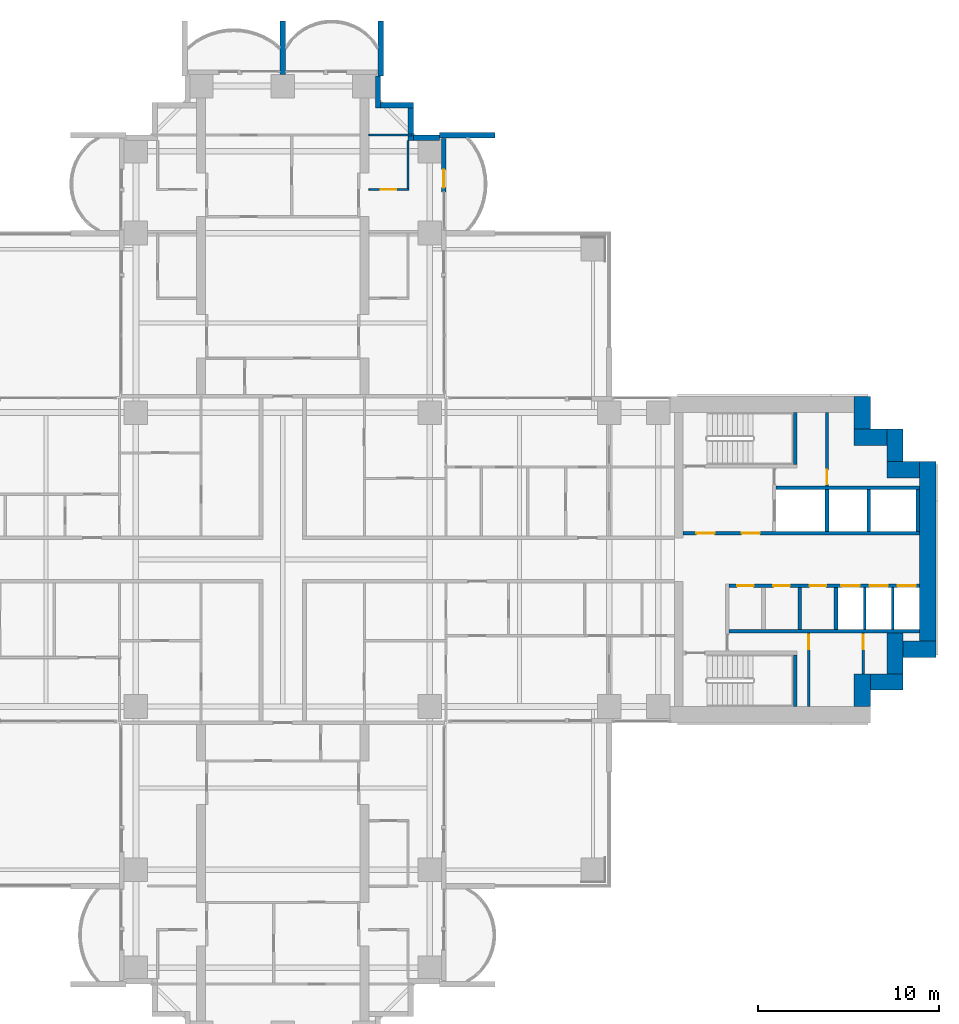
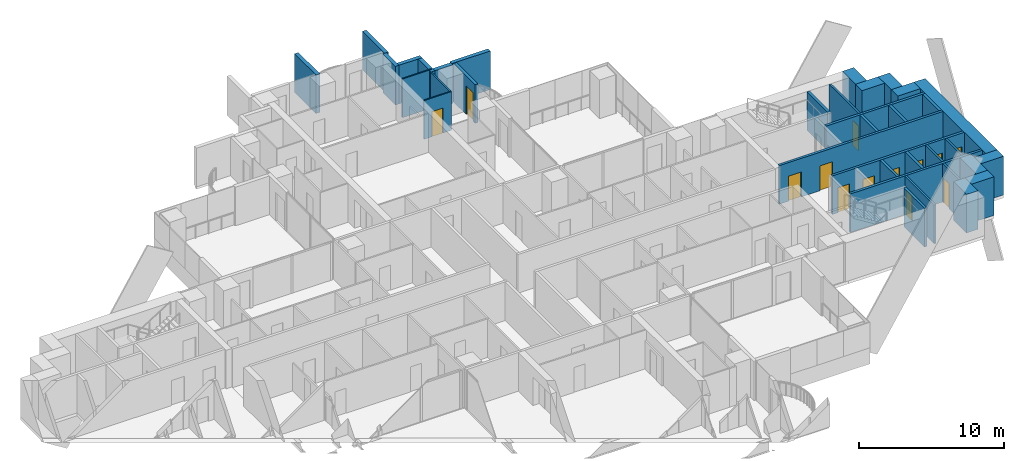
# One storey, part 17 of 23: 36 walls, 13 doors, 13 openings.
"""IFC4 building model written with IfcOpenShell, lengths in metres."""

from ifc_helpers import new_model, si_unit, direction, frame, frame_2d, origin, place, context, subcontext, project, spatial, rectangle, extrude, material, layer, layer_set, type_object, element, fill, save


model = new_model("IFC4")

# Units and contexts
model_context = context("Model", 3, precision=1e-05, world=origin(), true_north=direction((0.0, 1.0)))
body_context = subcontext(model_context, "Body", "Model", "MODEL_VIEW")
ifc_project = project(units=[si_unit("LENGTHUNIT", "METRE"), si_unit("AREAUNIT", "SQUARE_METRE"), si_unit("VOLUMEUNIT", "CUBIC_METRE"), si_unit("PLANEANGLEUNIT", "RADIAN"), si_unit("MASSUNIT", "GRAM", prefix="KILO")], contexts=[model_context])

# Site, building, storey
site_placement = place(None, origin())
site = spatial("IfcSite", under=ifc_project, at=site_placement, CompositionType="ELEMENT")
building_placement = place(site_placement, origin())
building = spatial("IfcBuilding", under=site, at=building_placement, Name="Perihelion Cross Residences", CompositionType="ELEMENT")
storey_placement = place(building_placement, frame((0.0, 0.0, 85.5)))
storey = spatial("IfcBuildingStorey", under=building, at=storey_placement, Name="L19", CompositionType="ELEMENT", Elevation=85.5)

# Wall, opening, door
ifc_material_1 = material(Name="Concrete C30/37, bronze-clad", Category="concrete")
ifc_layer_1 = layer(ifc_material_1, 0.25)
ifc_layer_set_1 = layer_set([ifc_layer_1], Name="Bronze-clad pier wall 250")
wall_type_1 = type_object("IfcWallType", Name="Bronze-clad pier wall 250", PredefinedType="SOLIDWALL", material=ifc_layer_set_1)
wall_1_placement = place(storey_placement, frame((8.875, 20.25, 0.0), z_axis=(0.0, 0.0, 1.0), x_axis=(0.0, 1.0, 0.0)))
wall_1 = element("IfcWall", 1, at=wall_1_placement, inside=storey, type_object=wall_type_1, Name="Wall FW1 L19 north side east bay 2 pier", PredefinedType="SOLIDWALL", context=body_context, shape_type="SweptSolid", body=[
    extrude(rectangle(XDim=2.949951171875, YDim=0.25, at=frame_2d((1.47509765625, 0.0))), origin(), (0.0, 0.0, 1.0), 3.25),
])
opening_1_placement = place(wall_1_placement, frame((0.25, 0.0, 0.0)))
opening_1 = element("IfcOpeningElement", 2, at=opening_1_placement, cuts=wall_1, Name="Opening L19.E03", PredefinedType="OPENING", context=body_context, shape_type="SweptSolid", body=[
    extrude(rectangle(XDim=1.0, YDim=2.39990234375, at=frame_2d((0.5, 1.199951171875))), frame((0.0, 0.135009765625, 0.0), z_axis=(0.0, -1.0, 0.0), x_axis=(1.0, 0.0, 0.0)), (0.0, 0.0, 1.0), 0.27001953125),
])
ifc_material_2 = material(Name="Bronze anodised aluminium, glazed", Category="aluminium")
door_type_1 = type_object("IfcDoorType", Name="Balcony door 1000 x 2400", OperationType="NOTDEFINED", PredefinedType="DOOR", material=ifc_material_2)
door_1_placement = place(opening_1_placement, origin())
door_1 = element("IfcDoor", 3, at=door_1_placement, inside=storey, type_object=door_type_1, Name="Door L19.E03 north side east bay 2", OperationType="SINGLE_SWING_RIGHT", OverallHeight=2.39990234375, OverallWidth=1.0, PredefinedType="DOOR", context=body_context, shape_type="SweptSolid", body=[
    extrude(rectangle(XDim=1.0, YDim=2.39990234375, at=frame_2d((0.5, 1.199951171875))), frame((0.0, 0.02490234375, 0.0), z_axis=(0.0, -1.0, 0.0), x_axis=(1.0, 0.0, 0.0)), (0.0, 0.0, 1.0), 0.050048828125),
])
fill(opening_1, door_1)

# Walls
ifc_material_3 = material(Name="Concrete C30/37, bronze-clad", Category="concrete")
ifc_layer_2 = layer(ifc_material_3, 0.300048828125)
ifc_layer_set_2 = layer_set([ifc_layer_2], Name="Bronze-clad serration wall 300")
wall_type_2 = type_object("IfcWallType", Name="Bronze-clad serration wall 300", PredefinedType="SOLIDWALL", material=ifc_layer_set_2)
wall_2_placement = place(storey_placement, frame((8.64990234375, 23.25, 0.0), z_axis=(0.0, 0.0, 1.0), x_axis=(-1.0, 0.0, 0.0)))
element("IfcWall", 4, at=wall_2_placement, inside=storey, type_object=wall_type_2, Name="Wall SR1 L19 north corner north-east 1", PredefinedType="SOLIDWALL", context=body_context, shape_type="SweptSolid", body=[
    extrude(rectangle(XDim=1.449951171875, YDim=0.300048828125, at=frame_2d((0.72509765625, 0.0))), origin(), (0.0, 0.0, 1.0), 3.25),
])
wall_3_placement = place(storey_placement, frame((7.050048828125, 23.10009765625, 0.0), z_axis=(0.0, 0.0, 1.0), x_axis=(0.0, 1.0, 0.0)))
element("IfcWall", 5, at=wall_3_placement, inside=storey, type_object=wall_type_2, Name="Wall SR1 L19 north corner north-east 2", PredefinedType="SOLIDWALL", context=body_context, shape_type="SweptSolid", body=[
    extrude(rectangle(XDim=1.7998046875, YDim=0.300048828125, at=frame_2d((0.89990234375, 0.0))), origin(), (0.0, 0.0, 1.0), 3.25),
])
wall_4_placement = place(storey_placement, frame((7.199951171875, 25.050048828125, 0.0), z_axis=(0.0, 0.0, 1.0), x_axis=(-1.0, 0.0, 0.0)))
element("IfcWall", 6, at=wall_4_placement, inside=storey, type_object=wall_type_2, Name="Wall SR1 L19 north corner north-east 3", PredefinedType="SOLIDWALL", context=body_context, shape_type="SweptSolid", body=[
    extrude(rectangle(XDim=1.800048828125, YDim=0.300048828125, at=frame_2d((0.89990234375, 0.0))), origin(), (0.0, 0.0, 1.0), 3.25),
])
wall_5_placement = place(storey_placement, frame((5.25, 24.89990234375, 0.0), z_axis=(0.0, 0.0, 1.0), x_axis=(0.0, 1.0, 0.0)))
element("IfcWall", 7, at=wall_5_placement, inside=storey, type_object=wall_type_2, Name="Wall SR1 L19 north corner north-east 4", PredefinedType="SOLIDWALL", context=body_context, shape_type="SweptSolid", body=[
    extrude(rectangle(XDim=1.75, YDim=0.300048828125, at=frame_2d((0.875, 0.0))), origin(), (0.0, 0.0, 1.0), 3.25),
])
ifc_material_4 = material(Name="Concrete C60/75", Category="concrete")
ifc_layer_3 = layer(ifc_material_4, 0.89990234375)
ifc_layer_set_3 = layer_set([ifc_layer_3], Name="Core wall, outer 900")
wall_type_3 = type_object("IfcWallType", Name="Core wall, outer 900", PredefinedType="SHEAR", material=ifc_layer_set_3)
for number, where, z_axis, x_axis, name in (
    (8, (31.949951171875, -8.10009765625, 0.0), (0.0, 0.0, 1.0), (0.0, 1.0, 0.0), "East core core wall, outer"),
    (9, (32.39990234375, -6.75, 0.0), (0.0, 0.0, 1.0), (1.0, 0.0, 0.0), "East core core wall, outer"),
):
    element("IfcWall", number, at=place(storey_placement, frame(where, z_axis=z_axis, x_axis=x_axis)), inside=storey, type_object=wall_type_3, Name=name, PredefinedType="SHEAR", context=body_context, shape_type="SweptSolid", body=[
        extrude(rectangle(XDim=1.800048828125, YDim=0.89990234375, at=frame_2d((0.89990234375, 0.0))), origin(), (0.0, 0.0, 1.0), 3.25),
    ])
wall_6_placement = place(storey_placement, frame((33.75, -6.300048828125, 0.0), z_axis=(0.0, 0.0, 1.0), x_axis=(0.0, 1.0, 0.0)))
element("IfcWall", 10, at=wall_6_placement, inside=storey, type_object=wall_type_3, Name="East core core wall, outer", PredefinedType="SHEAR", context=body_context, shape_type="SweptSolid", body=[
    extrude(rectangle(XDim=2.25, YDim=0.89990234375, at=frame_2d((1.125, 0.0))), origin(), (0.0, 0.0, 1.0), 3.25),
])
wall_7_placement = place(storey_placement, frame((34.199951171875, -4.949951171875, 0.0), z_axis=(0.0, 0.0, 1.0), x_axis=(1.0, 0.0, 0.0)))
element("IfcWall", 11, at=wall_7_placement, inside=storey, type_object=wall_type_3, Name="East core core wall, outer", PredefinedType="SHEAR", context=body_context, shape_type="SweptSolid", body=[
    extrude(rectangle(XDim=1.800048828125, YDim=0.89990234375, at=frame_2d((0.89990234375, 0.0))), origin(), (0.0, 0.0, 1.0), 3.25),
])
wall_8_placement = place(storey_placement, frame((35.550048828125, -4.5, 0.0), z_axis=(0.0, 0.0, 1.0), x_axis=(0.0, 1.0, 0.0)))
element("IfcWall", 12, at=wall_8_placement, inside=storey, type_object=wall_type_3, Name="East core core wall, outer", PredefinedType="SHEAR", context=body_context, shape_type="SweptSolid", body=[
    extrude(rectangle(XDim=9.89990234375, YDim=0.89990234375, at=frame_2d((4.949951171875, 0.0))), origin(), (0.0, 0.0, 1.0), 3.25),
])
for number, where, z_axis, x_axis, name in (
    (13, (33.300048828125, 4.949951171875, 0.0), (0.0, 0.0, 1.0), (1.0, 0.0, 0.0), "East core core wall, outer"),
    (14, (33.75, 5.39990234375, 0.0), (0.0, 0.0, 1.0), (0.0, 1.0, 0.0), "East core core wall, outer"),
    (15, (31.5, 6.75, 0.0), (0.0, 0.0, 1.0), (1.0, 0.0, 0.0), "East core core wall, outer"),
    (16, (31.949951171875, 7.199951171875, 0.0), (0.0, 0.0, 1.0), (0.0, 1.0, 0.0), "East core core wall, outer"),
):
    element("IfcWall", number, at=place(storey_placement, frame(where, z_axis=z_axis, x_axis=x_axis)), inside=storey, type_object=wall_type_3, Name=name, PredefinedType="SHEAR", context=body_context, shape_type="SweptSolid", body=[
        extrude(rectangle(XDim=1.800048828125, YDim=0.89990234375, at=frame_2d((0.89990234375, 0.0))), origin(), (0.0, 0.0, 1.0), 3.25),
    ])
ifc_material_5 = material(Name="Precast concrete C50/60", Category="concrete")
ifc_layer_4 = layer(ifc_material_5, 0.300048828125)
ifc_layer_set_4 = layer_set([ifc_layer_4], Name="Precast concrete C50/60 blade wall 300")
wall_type_4 = type_object("IfcWallType", Name="Precast concrete C50/60 blade wall 300", PredefinedType="SOLIDWALL", material=ifc_layer_set_4)
wall_9_placement = place(storey_placement, frame((0.0, 26.75, 0.0), z_axis=(0.0, 0.0, 1.0), x_axis=(0.0, 1.0, 0.0)))
element("IfcWall", 17, at=wall_9_placement, inside=storey, type_object=wall_type_4, Name="Wall BL1 L19 no. 10", PredefinedType="SOLIDWALL", context=body_context, shape_type="SweptSolid", body=[
    extrude(rectangle(XDim=2.949951171875, YDim=0.300048828125, at=frame_2d((1.47509765625, 0.0))), origin(), (0.0, 0.0, 1.0), 3.25),
])
for number, where, z_axis, x_axis, name in (
    (18, (5.39990234375, 26.64990234375, 0.0), (0.0, 0.0, 1.0), (0.0, 1.0, 0.0), "Wall BL1 L19 no. 14"),
    (19, (8.64990234375, 23.39990234375, 0.0), (0.0, 0.0, 1.0), (1.0, 0.0, 0.0), "Wall BL1 L19 no. 18"),
):
    element("IfcWall", number, at=place(storey_placement, frame(where, z_axis=z_axis, x_axis=x_axis)), inside=storey, type_object=wall_type_4, Name=name, PredefinedType="SOLIDWALL", context=body_context, shape_type="SweptSolid", body=[
        extrude(rectangle(XDim=3.050048828125, YDim=0.300048828125, at=frame_2d((1.52490234375, 0.0))), origin(), (0.0, 0.0, 1.0), 3.25),
    ])

# Wall, opening, door
ifc_material_6 = material(Name="Fire-rated board on steel stud", Category="steel")
ifc_layer_5 = layer(ifc_material_6, 0.14990234375)
ifc_layer_set_5 = layer_set([ifc_layer_5], Name="Riser wall 150")
wall_type_5 = type_object("IfcWallType", Name="Riser wall 150", PredefinedType="PARTITIONING", material=ifc_layer_set_5)
wall_10_placement = place(storey_placement, frame((30.0, 4.050048828125, 0.0), z_axis=(0.0, 0.0, 1.0), x_axis=(0.0, 1.0, 0.0)))
wall_10 = element("IfcWall", 20, at=wall_10_placement, inside=storey, type_object=wall_type_5, Name="East core riser wall", PredefinedType="PARTITIONING", context=body_context, shape_type="SweptSolid", body=[
    extrude(rectangle(XDim=4.050048828125, YDim=0.14990234375, at=frame_2d((2.02490234375, 0.0))), origin(), (0.0, 0.0, 1.0), 3.25),
])
opening_2_placement = place(wall_10_placement, frame((0.10009765625, 0.0, 0.0)))
opening_2 = element("IfcOpeningElement", 21, at=opening_2_placement, cuts=wall_10, Name="Opening L19.C15", PredefinedType="OPENING", context=body_context, shape_type="SweptSolid", body=[
    extrude(rectangle(XDim=0.800048828125, YDim=2.10009765625, at=frame_2d((0.39990234375, 1.050048828125))), frame((0.0, 0.0849609375, 0.0), z_axis=(0.0, -1.0, 0.0), x_axis=(1.0, 0.0, 0.0)), (0.0, 0.0, 1.0), 0.169921875),
])
ifc_material_7 = material(Name="Steel, powder coated", Category="steel")
door_type_2 = type_object("IfcDoorType", Name="Riser door 800", OperationType="SINGLE_SWING_LEFT", PredefinedType="DOOR", material=ifc_material_7)
door_2_placement = place(opening_2_placement, origin())
door_2 = element("IfcDoor", 22, at=door_2_placement, inside=storey, type_object=door_type_2, Name="East core riser door", OperationType="SINGLE_SWING_LEFT", OverallHeight=2.10009765625, OverallWidth=0.800048828125, PredefinedType="DOOR", context=body_context, shape_type="SweptSolid", body=[
    extrude(rectangle(XDim=0.800048828125, YDim=2.10009765625, at=frame_2d((0.39990234375, 1.050048828125))), frame((0.0, 0.02490234375, 0.0), z_axis=(0.0, -1.0, 0.0), x_axis=(1.0, 0.0, 0.0)), (0.0, 0.0, 1.0), 0.050048828125),
])
fill(opening_2, door_2)

wall_11_placement = place(storey_placement, frame((29.0, -8.10009765625, 0.0), z_axis=(0.0, 0.0, 1.0), x_axis=(0.0, 1.0, 0.0)))
wall_11 = element("IfcWall", 23, at=wall_11_placement, inside=storey, type_object=wall_type_5, Name="East core riser wall", PredefinedType="PARTITIONING", context=body_context, shape_type="SweptSolid", body=[
    extrude(rectangle(XDim=4.050048828125, YDim=0.14990234375, at=frame_2d((2.02490234375, 0.0))), origin(), (0.0, 0.0, 1.0), 3.25),
])
opening_3_placement = place(wall_11_placement, frame((3.14990234375, 0.0, 0.0)))
opening_3 = element("IfcOpeningElement", 24, at=opening_3_placement, cuts=wall_11, Name="Opening L19.C13", PredefinedType="OPENING", context=body_context, shape_type="SweptSolid", body=[
    extrude(rectangle(XDim=0.800048828125, YDim=2.10009765625, at=frame_2d((0.39990234375, 1.050048828125))), frame((0.0, 0.0849609375, 0.0), z_axis=(0.0, -1.0, 0.0), x_axis=(1.0, 0.0, 0.0)), (0.0, 0.0, 1.0), 0.169921875),
])
door_3_placement = place(opening_3_placement, origin())
door_3 = element("IfcDoor", 25, at=door_3_placement, inside=storey, type_object=door_type_2, Name="East core riser door", OperationType="SINGLE_SWING_LEFT", OverallHeight=2.10009765625, OverallWidth=0.800048828125, PredefinedType="DOOR", context=body_context, shape_type="SweptSolid", body=[
    extrude(rectangle(XDim=0.800048828125, YDim=2.10009765625, at=frame_2d((0.39990234375, 1.050048828125))), frame((0.0, 0.02490234375, 0.0), z_axis=(0.0, -1.0, 0.0), x_axis=(1.0, 0.0, 0.0)), (0.0, 0.0, 1.0), 0.050048828125),
])
fill(opening_3, door_3)

wall_12_placement = place(storey_placement, frame((32.0, -6.300048828125, 0.0), z_axis=(0.0, 0.0, 1.0), x_axis=(0.0, 1.0, 0.0)))
wall_12 = element("IfcWall", 26, at=wall_12_placement, inside=storey, type_object=wall_type_5, Name="East core riser wall", PredefinedType="PARTITIONING", context=body_context, shape_type="SweptSolid", body=[
    extrude(rectangle(XDim=2.25, YDim=0.14990234375, at=frame_2d((1.125, 0.0))), origin(), (0.0, 0.0, 1.0), 3.25),
])
opening_4_placement = place(wall_12_placement, frame((1.35009765625, 0.0, 0.0)))
opening_4 = element("IfcOpeningElement", 27, at=opening_4_placement, cuts=wall_12, Name="Opening L19.C16", PredefinedType="OPENING", context=body_context, shape_type="SweptSolid", body=[
    extrude(rectangle(XDim=0.800048828125, YDim=2.10009765625, at=frame_2d((0.39990234375, 1.050048828125))), frame((0.0, 0.0849609375, 0.0), z_axis=(0.0, -1.0, 0.0), x_axis=(1.0, 0.0, 0.0)), (0.0, 0.0, 1.0), 0.169921875),
])
door_4_placement = place(opening_4_placement, origin())
door_4 = element("IfcDoor", 28, at=door_4_placement, inside=storey, type_object=door_type_2, Name="East core riser door", OperationType="SINGLE_SWING_LEFT", OverallHeight=2.10009765625, OverallWidth=0.800048828125, PredefinedType="DOOR", context=body_context, shape_type="SweptSolid", body=[
    extrude(rectangle(XDim=0.800048828125, YDim=2.10009765625, at=frame_2d((0.39990234375, 1.050048828125))), frame((0.0, 0.02490234375, 0.0), z_axis=(0.0, -1.0, 0.0), x_axis=(1.0, 0.0, 0.0)), (0.0, 0.0, 1.0), 0.050048828125),
])
fill(opening_4, door_4)

# Walls
ifc_material_8 = material(Name="Fire-rated board on steel stud", Category="steel")
ifc_layer_6 = layer(ifc_material_8, 0.199951171875)
ifc_layer_set_6 = layer_set([ifc_layer_6], Name="Riser wall 200")
wall_type_6 = type_object("IfcWallType", Name="Riser wall 200", PredefinedType="PARTITIONING", material=ifc_layer_set_6)
wall_13_placement = place(storey_placement, frame((28.5, -3.85009765625, 0.0), z_axis=(0.0, 0.0, 1.0), x_axis=(0.0, 1.0, 0.0)))
element("IfcWall", 29, at=wall_13_placement, inside=storey, type_object=wall_type_6, Name="East core riser wall", PredefinedType="PARTITIONING", context=body_context, shape_type="SweptSolid", body=[
    extrude(rectangle(XDim=2.300048828125, YDim=0.199951171875, at=frame_2d((1.14990234375, 0.0))), origin(), (0.0, 0.0, 1.0), 3.25),
])
ifc_material_9 = material(Name="Concrete C50/60", Category="concrete")
ifc_layer_7 = layer(ifc_material_9, 0.14990234375)
ifc_layer_set_7 = layer_set([ifc_layer_7], Name="Shaft wall 150")
wall_type_7 = type_object("IfcWallType", Name="Shaft wall 150", PredefinedType="SOLIDWALL", material=ifc_layer_set_7)
for number, where, z_axis, x_axis, name in (
    (30, (32.074951171875, -3.85009765625, 0.0), (0.0, 0.0, 1.0), (0.0, 1.0, 0.0), "East core shaft wall"),
    (31, (33.625, -3.85009765625, 0.0), (0.0, 0.0, 1.0), (0.0, 1.0, 0.0), "East core shaft wall"),
):
    element("IfcWall", number, at=place(storey_placement, frame(where, z_axis=z_axis, x_axis=x_axis)), inside=storey, type_object=wall_type_7, Name=name, PredefinedType="SOLIDWALL", context=body_context, shape_type="SweptSolid", body=[
        extrude(rectangle(XDim=2.300048828125, YDim=0.14990234375, at=frame_2d((1.14990234375, 0.0))), origin(), (0.0, 0.0, 1.0), 3.25),
    ])

# Wall, openings, doors
ifc_material_10 = material(Name="Concrete C50/60", Category="concrete")
ifc_layer_8 = layer(ifc_material_10, 0.199951171875)
ifc_layer_set_8 = layer_set([ifc_layer_8], Name="Shaft wall 200")
wall_type_8 = type_object("IfcWallType", Name="Shaft wall 200", PredefinedType="SOLIDWALL", material=ifc_layer_set_8)
wall_14_placement = place(storey_placement, frame((22.050048828125, 1.449951171875, 0.0), z_axis=(0.0, 0.0, 1.0), x_axis=(1.0, 0.0, 0.0)))
wall_14 = element("IfcWall", 32, at=wall_14_placement, inside=storey, type_object=wall_type_8, Name="East core shaft wall", PredefinedType="SOLIDWALL", context=body_context, shape_type="SweptSolid", body=[
    extrude(rectangle(XDim=13.050048828125, YDim=0.199951171875, at=frame_2d((6.52490234375, 0.0))), origin(), (0.0, 0.0, 1.0), 3.25),
])
opening_5_placement = place(wall_14_placement, frame((0.75, 0.0, 0.0)))
opening_5 = element("IfcOpeningElement", 33, at=opening_5_placement, cuts=wall_14, Name="Opening L19.C07", PredefinedType="OPENING", context=body_context, shape_type="SweptSolid", body=[
    extrude(rectangle(XDim=1.0, YDim=2.10009765625, at=frame_2d((0.5, 1.050048828125))), frame((0.0, 0.10986328125, 0.0), z_axis=(0.0, -1.0, 0.0), x_axis=(1.0, 0.0, 0.0)), (0.0, 0.0, 1.0), 0.219970703125),
])
opening_6_placement = place(wall_14_placement, frame((3.25, 0.0, 0.0)))
opening_6 = element("IfcOpeningElement", 34, at=opening_6_placement, cuts=wall_14, Name="Opening L19.C10", PredefinedType="OPENING", context=body_context, shape_type="SweptSolid", body=[
    extrude(rectangle(XDim=1.0, YDim=2.10009765625, at=frame_2d((0.5, 1.050048828125))), frame((0.0, 0.10986328125, 0.0), z_axis=(0.0, -1.0, 0.0), x_axis=(1.0, 0.0, 0.0)), (0.0, 0.0, 1.0), 0.219970703125),
])
ifc_material_11 = material(Name="Steel, powder coated", Category="steel")
door_type_3 = type_object("IfcDoorType", Name="Lobby door 1000", OperationType="SINGLE_SWING_LEFT", PredefinedType="DOOR", material=ifc_material_11)
door_5_placement = place(opening_5_placement, origin())
door_5 = element("IfcDoor", 35, at=door_5_placement, inside=storey, type_object=door_type_3, Name="East core firefighting lobby door", OperationType="SINGLE_SWING_LEFT", OverallHeight=2.10009765625, OverallWidth=1.0, PredefinedType="DOOR", context=body_context, shape_type="SweptSolid", body=[
    extrude(rectangle(XDim=1.0, YDim=2.10009765625, at=frame_2d((0.5, 1.050048828125))), frame((0.0, 0.02490234375, 0.0), z_axis=(0.0, -1.0, 0.0), x_axis=(1.0, 0.0, 0.0)), (0.0, 0.0, 1.0), 0.050048828125),
])
fill(opening_5, door_5)
door_6_placement = place(opening_6_placement, origin())
door_6 = element("IfcDoor", 36, at=door_6_placement, inside=storey, type_object=door_type_3, Name="East core firefighting lobby door", OperationType="SINGLE_SWING_LEFT", OverallHeight=2.10009765625, OverallWidth=1.0, PredefinedType="DOOR", context=body_context, shape_type="SweptSolid", body=[
    extrude(rectangle(XDim=1.0, YDim=2.10009765625, at=frame_2d((0.5, 1.050048828125))), frame((0.0, 0.02490234375, 0.0), z_axis=(0.0, -1.0, 0.0), x_axis=(1.0, 0.0, 0.0)), (0.0, 0.0, 1.0), 0.050048828125),
])
fill(opening_6, door_6)

wall_15_placement = place(storey_placement, frame((24.60009765625, -1.449951171875, 0.0), z_axis=(0.0, 0.0, 1.0), x_axis=(1.0, 0.0, 0.0)))
wall_15 = element("IfcWall", 37, at=wall_15_placement, inside=storey, type_object=wall_type_8, Name="East core shaft wall", PredefinedType="SOLIDWALL", context=body_context, shape_type="SweptSolid", body=[
    extrude(rectangle(XDim=10.5, YDim=0.199951171875, at=frame_2d((5.25, 0.0))), origin(), (0.0, 0.0, 1.0), 3.25),
])
opening_7_placement = place(wall_15_placement, frame((6.199951171875, 0.0, 0.0)))
opening_7 = element("IfcOpeningElement", 38, at=opening_7_placement, cuts=wall_15, Name="Opening L19.C02", PredefinedType="OPENING", context=body_context, shape_type="SweptSolid", body=[
    extrude(rectangle(XDim=1.0, YDim=2.10009765625, at=frame_2d((0.5, 1.050048828125))), frame((0.0, 0.10986328125, 0.0), z_axis=(0.0, -1.0, 0.0), x_axis=(1.0, 0.0, 0.0)), (0.0, 0.0, 1.0), 0.219970703125),
])
opening_8_placement = place(wall_15_placement, frame((7.75, 0.0, 0.0)))
opening_8 = element("IfcOpeningElement", 39, at=opening_8_placement, cuts=wall_15, Name="Opening L19.C03", PredefinedType="OPENING", context=body_context, shape_type="SweptSolid", body=[
    extrude(rectangle(XDim=1.0, YDim=2.10009765625, at=frame_2d((0.5, 1.050048828125))), frame((0.0, 0.10986328125, 0.0), z_axis=(0.0, -1.0, 0.0), x_axis=(1.0, 0.0, 0.0)), (0.0, 0.0, 1.0), 0.219970703125),
])
opening_9_placement = place(wall_15_placement, frame((9.300048828125, 0.0, 0.0)))
opening_9 = element("IfcOpeningElement", 40, at=opening_9_placement, cuts=wall_15, Name="Opening L19.C04", PredefinedType="OPENING", context=body_context, shape_type="SweptSolid", body=[
    extrude(rectangle(XDim=1.0, YDim=2.10009765625, at=frame_2d((0.5, 1.050048828125))), frame((0.0, 0.10986328125, 0.0), z_axis=(0.0, -1.0, 0.0), x_axis=(1.0, 0.0, 0.0)), (0.0, 0.0, 1.0), 0.219970703125),
])
opening_10_placement = place(wall_15_placement, frame((0.449951171875, 0.0, 0.0)))
opening_10 = element("IfcOpeningElement", 41, at=opening_10_placement, cuts=wall_15, Name="Opening L19.C09", PredefinedType="OPENING", context=body_context, shape_type="SweptSolid", body=[
    extrude(rectangle(XDim=0.89990234375, YDim=2.10009765625, at=frame_2d((0.449951171875, 1.050048828125))), frame((0.0, 0.10986328125, 0.0), z_axis=(0.0, -1.0, 0.0), x_axis=(1.0, 0.0, 0.0)), (0.0, 0.0, 1.0), 0.219970703125),
])
opening_11_placement = place(wall_15_placement, frame((2.449951171875, 0.0, 0.0)))
opening_11 = element("IfcOpeningElement", 42, at=opening_11_placement, cuts=wall_15, Name="Opening L19.C12", PredefinedType="OPENING", context=body_context, shape_type="SweptSolid", body=[
    extrude(rectangle(XDim=0.89990234375, YDim=2.10009765625, at=frame_2d((0.449951171875, 1.050048828125))), frame((0.0, 0.10986328125, 0.0), z_axis=(0.0, -1.0, 0.0), x_axis=(1.0, 0.0, 0.0)), (0.0, 0.0, 1.0), 0.219970703125),
])
opening_12_placement = place(wall_15_placement, frame((4.449951171875, 0.0, 0.0)))
opening_12 = element("IfcOpeningElement", 43, at=opening_12_placement, cuts=wall_15, Name="Opening L19.C14", PredefinedType="OPENING", context=body_context, shape_type="SweptSolid", body=[
    extrude(rectangle(XDim=0.89990234375, YDim=2.10009765625, at=frame_2d((0.449951171875, 1.050048828125))), frame((0.0, 0.10986328125, 0.0), z_axis=(0.0, -1.0, 0.0), x_axis=(1.0, 0.0, 0.0)), (0.0, 0.0, 1.0), 0.219970703125),
])
ifc_material_12 = material(Name="Stainless steel", Category="steel")
door_type_4 = type_object("IfcDoorType", Name="Landing door 1000", OperationType="DOUBLE_DOOR_SLIDING", PredefinedType="DOOR", material=ifc_material_12)
door_7_placement = place(opening_7_placement, origin())
door_7 = element("IfcDoor", 44, at=door_7_placement, inside=storey, type_object=door_type_4, Name="Landing door, East core low-rise lift 1", OperationType="DOUBLE_DOOR_SLIDING", OverallHeight=2.10009765625, OverallWidth=1.0, PredefinedType="DOOR", context=body_context, shape_type="SweptSolid", body=[
    extrude(rectangle(XDim=1.0, YDim=2.10009765625, at=frame_2d((0.5, 1.050048828125))), frame((0.0, 0.02490234375, 0.0), z_axis=(0.0, -1.0, 0.0), x_axis=(1.0, 0.0, 0.0)), (0.0, 0.0, 1.0), 0.050048828125),
])
fill(opening_7, door_7)
door_8_placement = place(opening_8_placement, origin())
door_8 = element("IfcDoor", 45, at=door_8_placement, inside=storey, type_object=door_type_4, Name="Landing door, East core low-rise lift 2", OperationType="DOUBLE_DOOR_SLIDING", OverallHeight=2.10009765625, OverallWidth=1.0, PredefinedType="DOOR", context=body_context, shape_type="SweptSolid", body=[
    extrude(rectangle(XDim=1.0, YDim=2.10009765625, at=frame_2d((0.5, 1.050048828125))), frame((0.0, 0.02490234375, 0.0), z_axis=(0.0, -1.0, 0.0), x_axis=(1.0, 0.0, 0.0)), (0.0, 0.0, 1.0), 0.050048828125),
])
fill(opening_8, door_8)
door_9_placement = place(opening_9_placement, origin())
door_9 = element("IfcDoor", 46, at=door_9_placement, inside=storey, type_object=door_type_4, Name="Landing door, East core low-rise lift 3", OperationType="DOUBLE_DOOR_SLIDING", OverallHeight=2.10009765625, OverallWidth=1.0, PredefinedType="DOOR", context=body_context, shape_type="SweptSolid", body=[
    extrude(rectangle(XDim=1.0, YDim=2.10009765625, at=frame_2d((0.5, 1.050048828125))), frame((0.0, 0.02490234375, 0.0), z_axis=(0.0, -1.0, 0.0), x_axis=(1.0, 0.0, 0.0)), (0.0, 0.0, 1.0), 0.050048828125),
])
fill(opening_9, door_9)
ifc_material_13 = material(Name="Steel, powder coated", Category="steel")
door_type_5 = type_object("IfcDoorType", Name="Service room door 900", OperationType="SINGLE_SWING_LEFT", PredefinedType="DOOR", material=ifc_material_13)
door_10_placement = place(opening_10_placement, origin())
door_10 = element("IfcDoor", 47, at=door_10_placement, inside=storey, type_object=door_type_5, Name="East core service room door", OperationType="SINGLE_SWING_LEFT", OverallHeight=2.10009765625, OverallWidth=0.89990234375, PredefinedType="DOOR", context=body_context, shape_type="SweptSolid", body=[
    extrude(rectangle(XDim=0.89990234375, YDim=2.10009765625, at=frame_2d((0.449951171875, 1.050048828125))), frame((0.0, 0.02490234375, 0.0), z_axis=(0.0, -1.0, 0.0), x_axis=(1.0, 0.0, 0.0)), (0.0, 0.0, 1.0), 0.050048828125),
])
fill(opening_10, door_10)
door_11_placement = place(opening_11_placement, origin())
door_11 = element("IfcDoor", 48, at=door_11_placement, inside=storey, type_object=door_type_5, Name="East core service room door", OperationType="SINGLE_SWING_LEFT", OverallHeight=2.10009765625, OverallWidth=0.89990234375, PredefinedType="DOOR", context=body_context, shape_type="SweptSolid", body=[
    extrude(rectangle(XDim=0.89990234375, YDim=2.10009765625, at=frame_2d((0.449951171875, 1.050048828125))), frame((0.0, 0.02490234375, 0.0), z_axis=(0.0, -1.0, 0.0), x_axis=(1.0, 0.0, 0.0)), (0.0, 0.0, 1.0), 0.050048828125),
])
fill(opening_11, door_11)
door_12_placement = place(opening_12_placement, origin())
door_12 = element("IfcDoor", 49, at=door_12_placement, inside=storey, type_object=door_type_5, Name="East core service room door", OperationType="SINGLE_SWING_LEFT", OverallHeight=2.10009765625, OverallWidth=0.89990234375, PredefinedType="DOOR", context=body_context, shape_type="SweptSolid", body=[
    extrude(rectangle(XDim=0.89990234375, YDim=2.10009765625, at=frame_2d((0.449951171875, 1.050048828125))), frame((0.0, 0.02490234375, 0.0), z_axis=(0.0, -1.0, 0.0), x_axis=(1.0, 0.0, 0.0)), (0.0, 0.0, 1.0), 0.050048828125),
])
fill(opening_12, door_12)

# Walls
wall_16_placement = place(storey_placement, frame((27.199951171875, 3.949951171875, 0.0), z_axis=(0.0, 0.0, 1.0), x_axis=(1.0, 0.0, 0.0)))
element("IfcWall", 50, at=wall_16_placement, inside=storey, type_object=wall_type_8, Name="East core shaft wall", PredefinedType="SOLIDWALL", context=body_context, shape_type="SweptSolid", body=[
    extrude(rectangle(XDim=7.900146484375, YDim=0.199951171875, at=frame_2d((3.9501953125, 0.0))), origin(), (0.0, 0.0, 1.0), 3.25),
])
wall_17_placement = place(storey_placement, frame((24.60009765625, -3.949951171875, 0.0), z_axis=(0.0, 0.0, 1.0), x_axis=(1.0, 0.0, 0.0)))
element("IfcWall", 51, at=wall_17_placement, inside=storey, type_object=wall_type_8, Name="East core shaft wall", PredefinedType="SOLIDWALL", context=body_context, shape_type="SweptSolid", body=[
    extrude(rectangle(XDim=10.5, YDim=0.199951171875, at=frame_2d((5.25, 0.0))), origin(), (0.0, 0.0, 1.0), 3.25),
])
for number, where, z_axis, x_axis, name in (
    (52, (30.0, 1.550048828125, 0.0), (0.0, 0.0, 1.0), (0.0, 1.0, 0.0), "East core shaft wall"),
    (53, (32.300048828125, 1.550048828125, 0.0), (0.0, 0.0, 1.0), (0.0, 1.0, 0.0), "East core shaft wall"),
    (54, (35.0, 1.550048828125, 0.0), (0.0, 0.0, 1.0), (0.0, 1.0, 0.0), "East core shaft wall"),
    (55, (30.5, -3.85009765625, 0.0), (0.0, 0.0, 1.0), (0.0, 1.0, 0.0), "East core shaft wall"),
):
    element("IfcWall", number, at=place(storey_placement, frame(where, z_axis=z_axis, x_axis=x_axis)), inside=storey, type_object=wall_type_8, Name=name, PredefinedType="SOLIDWALL", context=body_context, shape_type="SweptSolid", body=[
        extrude(rectangle(XDim=2.300048828125, YDim=0.199951171875, at=frame_2d((1.14990234375, 0.0))), origin(), (0.0, 0.0, 1.0), 3.25),
    ])
ifc_material_14 = material(Name="Concrete C50/60", Category="concrete")
ifc_layer_9 = layer(ifc_material_14, 0.199951171875)
ifc_layer_set_9 = layer_set([ifc_layer_9], Name="Stair wall 200")
wall_type_9 = type_object("IfcWallType", Name="Stair wall 200", PredefinedType="SOLIDWALL", material=ifc_layer_set_9)
for number, where, z_axis, x_axis, name in (
    (56, (28.25, 5.25, 0.0), (0.0, 0.0, 1.0), (0.0, 1.0, 0.0), "East core stair wall"),
    (57, (28.25, -8.10009765625, 0.0), (0.0, 0.0, 1.0), (0.0, 1.0, 0.0), "East core stair wall"),
):
    element("IfcWall", number, at=place(storey_placement, frame(where, z_axis=z_axis, x_axis=x_axis)), inside=storey, type_object=wall_type_9, Name=name, PredefinedType="SOLIDWALL", context=body_context, shape_type="SweptSolid", body=[
        extrude(rectangle(XDim=2.85009765625, YDim=0.199951171875, at=frame_2d((1.425048828125, 0.0))), origin(), (0.0, 0.0, 1.0), 3.25),
    ])

# Wall, opening, door
ifc_material_15 = material(Name="Plasterboard partition")
ifc_layer_10 = layer(ifc_material_15, 0.10009765625)
ifc_layer_set_10 = layer_set([ifc_layer_10], Name="Wet room wall 100")
wall_type_10 = type_object("IfcWallType", Name="Wet room wall 100", PredefinedType="PARTITIONING", material=ifc_layer_set_10)
wall_18_placement = place(storey_placement, frame((4.75, 20.39990234375, 0.0), z_axis=(0.0, 0.0, 1.0), x_axis=(1.0, 0.0, 0.0)))
wall_18 = element("IfcWall", 58, at=wall_18_placement, inside=storey, type_object=wall_type_10, Name="Partition L19 W059", PredefinedType="PARTITIONING", context=body_context, shape_type="SweptSolid", body=[
    extrude(rectangle(XDim=2.199951171875, YDim=0.10009765625, at=frame_2d((1.10009765625, 0.0))), origin(), (0.0, 0.0, 1.0), 3.25),
])
opening_13_placement = place(wall_18_placement, frame((0.64990234375, 0.0, 0.0)))
opening_13 = element("IfcOpeningElement", 59, at=opening_13_placement, cuts=wall_18, Name="Opening L19.A41", PredefinedType="OPENING", context=body_context, shape_type="SweptSolid", body=[
    extrude(rectangle(XDim=0.85009765625, YDim=2.10009765625, at=frame_2d((0.425048828125, 1.050048828125))), frame((0.0, 0.06005859375, 0.0), z_axis=(0.0, -1.0, 0.0), x_axis=(1.0, 0.0, 0.0)), (0.0, 0.0, 1.0), 0.1201171875),
])
ifc_material_16 = material(Name="Timber door leaf", Category="wood")
door_type_6 = type_object("IfcDoorType", Name="Interior bathroom door 850 x 2100", OperationType="SINGLE_SWING_LEFT", PredefinedType="DOOR", material=ifc_material_16)
door_13_placement = place(opening_13_placement, origin())
door_13 = element("IfcDoor", 60, at=door_13_placement, inside=storey, type_object=door_type_6, Name="Door L19.A41", OperationType="SINGLE_SWING_LEFT", OverallHeight=2.10009765625, OverallWidth=0.85009765625, PredefinedType="DOOR", context=body_context, shape_type="SweptSolid", body=[
    extrude(rectangle(XDim=0.85009765625, YDim=2.10009765625, at=frame_2d((0.425048828125, 1.050048828125))), frame((0.0, 0.02490234375, 0.0), z_axis=(0.0, -1.0, 0.0), x_axis=(1.0, 0.0, 0.0)), (0.0, 0.0, 1.0), 0.050048828125),
])
fill(opening_13, door_13)

# Walls
wall_19_placement = place(storey_placement, frame((6.89990234375, 20.449951171875, 0.0), z_axis=(0.0, 0.0, 1.0), x_axis=(0.0, 1.0, 0.0)))
element("IfcWall", 61, at=wall_19_placement, inside=storey, type_object=wall_type_10, Name="Partition L19 W060", PredefinedType="PARTITIONING", context=body_context, shape_type="SweptSolid", body=[
    extrude(rectangle(XDim=2.650146484375, YDim=0.10009765625, at=frame_2d((1.3251953125, 0.0))), origin(), (0.0, 0.0, 1.0), 3.25),
])
wall_20_placement = place(storey_placement, frame((4.75, 23.39990234375, 0.0), z_axis=(0.0, 0.0, 1.0), x_axis=(1.0, 0.0, 0.0)))
element("IfcWall", 62, at=wall_20_placement, inside=storey, type_object=wall_type_10, Name="Partition L19 W061", PredefinedType="PARTITIONING", context=body_context, shape_type="SweptSolid", body=[
    extrude(rectangle(XDim=2.3701171875, YDim=0.10009765625, at=frame_2d((1.18505859375, 0.0))), origin(), (0.0, 0.0, 1.0), 3.25),
])

save(model, "model.ifc")
